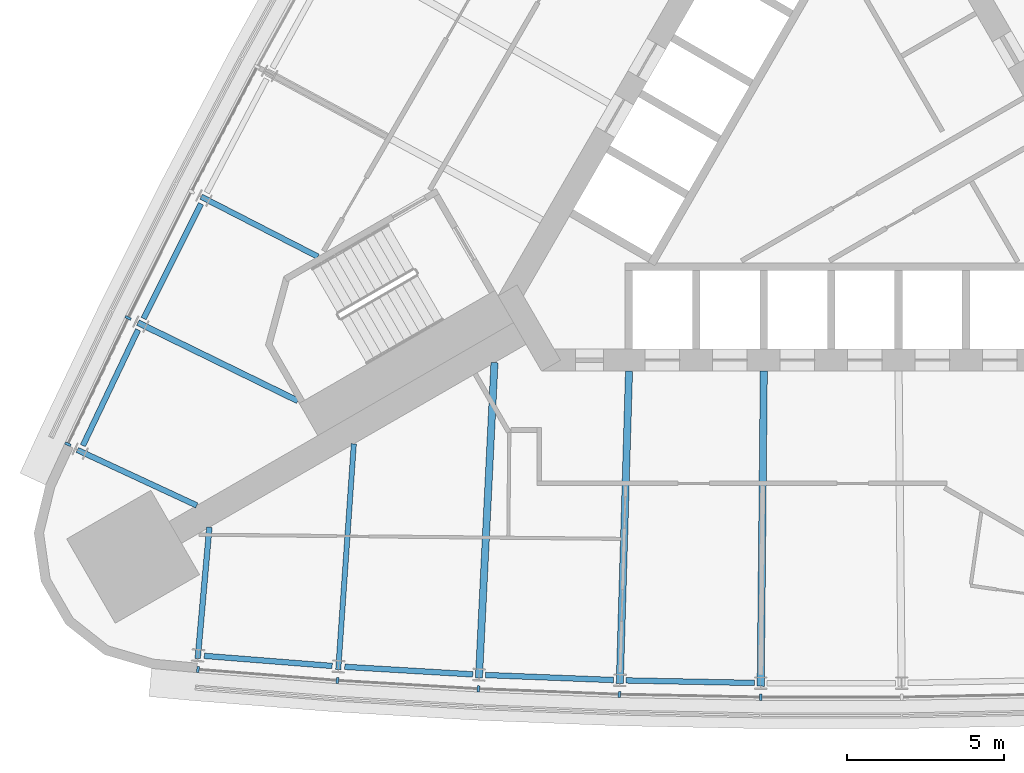
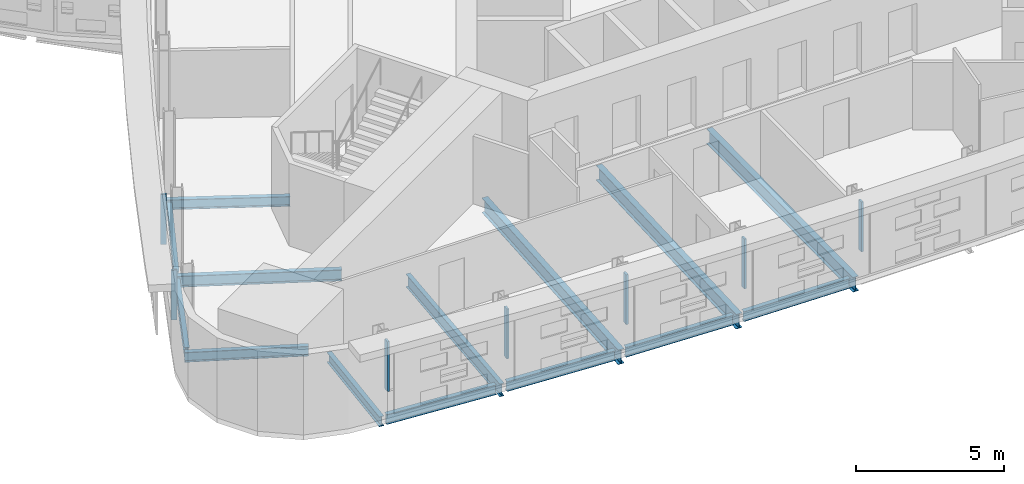
# One storey, part 4 of 17: 14 beams, 7 members, 2 elements without a shape of their own.
"""IFC4 building model written with IfcOpenShell, lengths in metres."""

from ifc_helpers import new_model, si_unit, direction, frame, origin, origin_2d, place, context, subcontext, project, spatial, rectangle, i_section, extrude, material, material_profile, profile_set, type_object, element, aggregate, save


model = new_model("IFC4")

# Units and contexts
model_context = context("Model", 3, precision=1e-05, world=origin(), true_north=direction((0.0, 1.0)))
body_context = subcontext(model_context, "Body", "Model", "MODEL_VIEW")
ifc_project = project(units=[si_unit("LENGTHUNIT", "METRE"), si_unit("AREAUNIT", "SQUARE_METRE"), si_unit("VOLUMEUNIT", "CUBIC_METRE"), si_unit("PLANEANGLEUNIT", "RADIAN"), si_unit("MASSUNIT", "GRAM", prefix="KILO")], contexts=[model_context])

# Site, building, storey
site_placement = place(None, origin())
site = spatial("IfcSite", under=ifc_project, at=site_placement, CompositionType="ELEMENT")
building_placement = place(site_placement, origin())
building = spatial("IfcBuilding", under=site, at=building_placement, Name="Noor Cloister Tower", CompositionType="ELEMENT")
storey_placement = place(building_placement, frame((0.0, 0.0, 98.699951171875)))
storey = spatial("IfcBuildingStorey", under=building, at=storey_placement, Name="L25", CompositionType="ELEMENT", Elevation=98.699951171875)

# Curtain wall, members
ifc_material_1 = material(Name="Aluminium 6063-T6 anodised", Category="aluminium")
curtain_wall_type = type_object("IfcCurtainWallType", Name="Ribbon curtain wall, lower tower CW1", PredefinedType="NOTDEFINED", material=ifc_material_1)
curtain_wall_1_placement = place(storey_placement, origin())
curtain_wall_1 = element("IfcCurtainWall", 1, at=curtain_wall_1_placement, inside=storey, type_object=curtain_wall_type, Name="CW1 L25 NW run 2", PredefinedType="NOTDEFINED")
ifc_material_2 = material(Name="Aluminium 6063-T6 anodised", Category="aluminium")
ifc_material_profile_1 = material_profile(ifc_material_2, rectangle(XDim=0.199951171875, YDim=0.080078125, at=origin_2d()), Name="200 x 80 mullion")
ifc_profile_set_1 = profile_set([ifc_material_profile_1], Name="Aluminium 6063-T6 anodised")
member_type = type_object("IfcMemberType", Name="Mullion CW1 80 x 200", PredefinedType="MULLION", material=ifc_profile_set_1)
member_1_placement = place(storey_placement, frame((-22.40185546875, -5.23046875, 1.10009765625), z_axis=(0.0, 0.0, 1.0), x_axis=(0.898389614214, -0.439199386466, 0.0)))
member_1 = element("IfcMember", 2, at=member_1_placement, type_object=member_type, Name="CW1 mullion 4", PredefinedType="MULLION", context=body_context, shape_type="SweptSolid", body=[
    extrude(rectangle(XDim=0.199951171875, YDim=0.080078125, at=origin_2d()), origin(), (0.0, 0.0, 1.0), 2.050048828125),
])
member_2_placement = place(storey_placement, frame((-24.32080078125, -9.25537109375, 1.10009765625), z_axis=(0.0, 0.0, 1.0), x_axis=(0.902668475712, -0.430336639105, 0.0)))
member_2 = element("IfcMember", 3, at=member_2_placement, type_object=member_type, Name="CW1 mullion 5", PredefinedType="MULLION", context=body_context, shape_type="SweptSolid", body=[
    extrude(rectangle(XDim=0.199951171875, YDim=0.080078125, at=origin_2d()), origin(), (0.0, 0.0, 1.0), 2.050048828125),
])
aggregate(curtain_wall_1, [member_1, member_2])

curtain_wall_2_placement = place(storey_placement, origin())
curtain_wall_2 = element("IfcCurtainWall", 4, at=curtain_wall_2_placement, inside=storey, type_object=curtain_wall_type, Name="CW1 L25 S run 3", PredefinedType="NOTDEFINED")
member_3_placement = place(storey_placement, frame((-20.17578125, -16.434814453125, 1.10009765625), z_axis=(0.0, 0.0, 1.0), x_axis=(0.078651776212, 0.996902150714, 0.0)))
member_3 = element("IfcMember", 5, at=member_3_placement, type_object=member_type, Name="CW1 mullion 1", PredefinedType="MULLION", context=body_context, shape_type="SweptSolid", body=[
    extrude(rectangle(XDim=0.199951171875, YDim=0.080078125, at=origin_2d()), origin(), (0.0, 0.0, 1.0), 2.050048828125),
])
member_4_placement = place(storey_placement, frame((-15.730712890625, -16.785400390625, 1.10009765625), z_axis=(0.0, 0.0, 1.0), x_axis=(0.068836981101, 0.997627921639, 0.0)))
member_4 = element("IfcMember", 6, at=member_4_placement, type_object=member_type, Name="CW1 mullion 2", PredefinedType="MULLION", context=body_context, shape_type="SweptSolid", body=[
    extrude(rectangle(XDim=0.199951171875, YDim=0.080078125, at=origin_2d()), origin(), (0.0, 0.0, 1.0), 2.050048828125),
])
member_5_placement = place(storey_placement, frame((-11.240478515625, -17.05078125, 1.10009765625), z_axis=(0.0, 0.0, 1.0), x_axis=(0.049188322705, 0.998789521826, 0.0)))
member_5 = element("IfcMember", 7, at=member_5_placement, type_object=member_type, Name="CW1 mullion 3", PredefinedType="MULLION", context=body_context, shape_type="SweptSolid", body=[
    extrude(rectangle(XDim=0.199951171875, YDim=0.080078125, at=origin_2d()), origin(), (0.0, 0.0, 1.0), 2.050048828125),
])
member_6_placement = place(storey_placement, frame((-6.74609375, -17.227783203125, 1.10009765625), z_axis=(0.0, 0.0, 1.0), x_axis=(0.029520625259, 0.999564171369, 0.0)))
member_6 = element("IfcMember", 8, at=member_6_placement, type_object=member_type, Name="CW1 mullion 4", PredefinedType="MULLION", context=body_context, shape_type="SweptSolid", body=[
    extrude(rectangle(XDim=0.199951171875, YDim=0.080078125, at=origin_2d()), origin(), (0.0, 0.0, 1.0), 2.050048828125),
])
member_7_placement = place(storey_placement, frame((-2.2490234375, -17.31640625, 1.10009765625), z_axis=(0.0, 0.0, 1.0), x_axis=(0.009841473527, 0.999951571527, 0.0)))
member_7 = element("IfcMember", 9, at=member_7_placement, type_object=member_type, Name="CW1 mullion 5", PredefinedType="MULLION", context=body_context, shape_type="SweptSolid", body=[
    extrude(rectangle(XDim=0.199951171875, YDim=0.080078125, at=origin_2d()), origin(), (0.0, 0.0, 1.0), 2.050048828125),
])
aggregate(curtain_wall_2, [member_3, member_4, member_5, member_6, member_7])

# Beams
ifc_material_3 = material(Name="Steel ASTM A992 Gr 50", Category="steel")
ifc_material_profile_2 = material_profile(ifc_material_3, i_section(OverallWidth=0.177978515625, OverallDepth=0.406005859375, WebThickness=0.0078125, FlangeThickness=0.0126953125, FilletRadius=0.01025390625, at=origin_2d()), Name="W410x60")
ifc_profile_set_2 = profile_set([ifc_material_profile_2], Name="Steel ASTM A992 Gr 50")
beam_type_1 = type_object("IfcBeamType", Name="Radial beam W410x60", PredefinedType="BEAM", material=ifc_profile_set_2)
beam_1_placement = place(storey_placement, frame((-20.075927734375, -1.368896484375, -0.40283203125), z_axis=(0.889580472354, -0.456778483739, 0.0), x_axis=(0.456778483739, 0.889580472354, 0.0)))
element("IfcBeam", 10, at=beam_1_placement, inside=storey, type_object=beam_type_1, Name="Radial beam NW 08 L25", PredefinedType="BEAM", context=body_context, shape_type="SweptSolid", body=[
    extrude(i_section(OverallWidth=0.177978515625, OverallDepth=0.406005859375, WebThickness=0.0078125, FlangeThickness=0.0126953125, FilletRadius=0.01025390625, at=origin_2d()), origin(), (0.0, 0.0, 1.0), 4.18505859375),
])
beam_2_placement = place(storey_placement, frame((-24.0205078125, -9.43798828125, -0.40283203125), z_axis=(0.906851874526, -0.421449495989, 0.0), x_axis=(0.421449495989, 0.906851874526, 0.0)))
element("IfcBeam", 11, at=beam_2_placement, inside=storey, type_object=beam_type_1, Name="Radial beam NW 10 L25", PredefinedType="BEAM", context=body_context, shape_type="SweptSolid", body=[
    extrude(i_section(OverallWidth=0.177978515625, OverallDepth=0.406005859375, WebThickness=0.0078125, FlangeThickness=0.0126953125, FilletRadius=0.01025390625, at=origin_2d()), origin(), (0.0, 0.0, 1.0), 4.19921875),
])
beam_3_placement = place(storey_placement, frame((-20.183837890625, -16.08349609375, -0.40283203125), z_axis=(0.088480829531, 0.99607787989, 0.0), x_axis=(-0.99607787989, 0.088480829531, 0.0)))
element("IfcBeam", 12, at=beam_3_placement, inside=storey, type_object=beam_type_1, Name="Radial beam S 01 L25", PredefinedType="BEAM", context=body_context, shape_type="SweptSolid", body=[
    extrude(i_section(OverallWidth=0.177978515625, OverallDepth=0.406005859375, WebThickness=0.0078125, FlangeThickness=0.0126953125, FilletRadius=0.01025390625, at=origin_2d()), origin(), (0.0, 0.0, 1.0), 4.199462890625),
])
ifc_material_4 = material(Name="Steel ASTM A992 Gr 50", Category="steel")
ifc_material_profile_3 = material_profile(ifc_material_4, i_section(OverallWidth=0.19091796875, OverallDepth=0.45703125, WebThickness=0.009033203125, FlangeThickness=0.014404296875, FilletRadius=0.01025390625, at=origin_2d()), Name="W460x74")
ifc_profile_set_3 = profile_set([ifc_material_profile_3], Name="Steel ASTM A992 Gr 50")
beam_type_2 = type_object("IfcBeamType", Name="Radial beam W460x74", PredefinedType="BEAM", material=ifc_profile_set_3)
beam_4_placement = place(storey_placement, frame((-22.087890625, -5.384033203125, -0.428466796875), z_axis=(0.898398339132, -0.439181539052, 0.0), x_axis=(0.439181539052, 0.898398339132, 0.0)))
element("IfcBeam", 13, at=beam_4_placement, inside=storey, type_object=beam_type_2, Name="Radial beam NW 09 L25", PredefinedType="BEAM", context=body_context, shape_type="SweptSolid", body=[
    extrude(i_section(OverallWidth=0.19091796875, OverallDepth=0.45703125, WebThickness=0.009033203125, FlangeThickness=0.014404296875, FilletRadius=0.01025390625, at=origin_2d()), origin(), (0.0, 0.0, 1.0), 5.666259765625),
])
ifc_material_5 = material(Name="Steel ASTM A992 Gr 50", Category="steel")
ifc_material_profile_4 = material_profile(ifc_material_5, i_section(OverallWidth=0.166015625, OverallDepth=0.528076171875, WebThickness=0.009765625, FlangeThickness=0.013671875, FilletRadius=0.0126953125, at=origin_2d()), Name="W530x74")
ifc_profile_set_4 = profile_set([ifc_material_profile_4], Name="Steel ASTM A992 Gr 50")
beam_type_3 = type_object("IfcBeamType", Name="Radial beam W530x74", PredefinedType="BEAM", material=ifc_profile_set_4)
beam_5_placement = place(storey_placement, frame((-15.70654296875, -16.436767578125, -0.4638671875), z_axis=(0.06883811579, 0.997627843344, 0.0), x_axis=(-0.997627843344, 0.06883811579, 0.0)))
element("IfcBeam", 14, at=beam_5_placement, inside=storey, type_object=beam_type_3, Name="Radial beam S 02 L25", PredefinedType="BEAM", context=body_context, shape_type="SweptSolid", body=[
    extrude(i_section(OverallWidth=0.166015625, OverallDepth=0.528076171875, WebThickness=0.009765625, FlangeThickness=0.013671875, FilletRadius=0.0126953125, at=origin_2d()), origin(), (0.0, 0.0, 1.0), 7.210205078125),
])
ifc_material_6 = material(Name="Steel ASTM A992 Gr 50", Category="steel")
ifc_material_profile_5 = material_profile(ifc_material_6, i_section(OverallWidth=0.22802734375, OverallDepth=0.60205078125, WebThickness=0.010498046875, FlangeThickness=0.014892578125, FilletRadius=0.0126953125, at=origin_2d()), Name="W610x101")
ifc_profile_set_5 = profile_set([ifc_material_profile_5], Name="Steel ASTM A992 Gr 50")
beam_type_4 = type_object("IfcBeamType", Name="Radial beam W610x101", PredefinedType="BEAM", material=ifc_profile_set_5)
beam_6_placement = place(storey_placement, frame((-11.223388671875, -16.701904296875, -0.5009765625), z_axis=(0.049201541775, 0.998788870726, 0.0), x_axis=(-0.998788870726, 0.049201541775, 0.0)))
element("IfcBeam", 15, at=beam_6_placement, inside=storey, type_object=beam_type_4, Name="Radial beam S 03 L25", PredefinedType="BEAM", context=body_context, shape_type="SweptSolid", body=[
    extrude(i_section(OverallWidth=0.22802734375, OverallDepth=0.60205078125, WebThickness=0.010498046875, FlangeThickness=0.014892578125, FilletRadius=0.0126953125, at=origin_2d()), origin(), (0.0, 0.0, 1.0), 10.05810546875),
])
beam_7_placement = place(storey_placement, frame((-6.73583984375, -16.878662109375, -0.5009765625), z_axis=(0.029528056482, 0.999563951871, 0.0), x_axis=(-0.999563951871, 0.029528056482, 0.0)))
element("IfcBeam", 16, at=beam_7_placement, inside=storey, type_object=beam_type_4, Name="Radial beam S 04 L25", PredefinedType="BEAM", context=body_context, shape_type="SweptSolid", body=[
    extrude(i_section(OverallWidth=0.22802734375, OverallDepth=0.60205078125, WebThickness=0.010498046875, FlangeThickness=0.014892578125, FilletRadius=0.0126953125, at=origin_2d()), origin(), (0.0, 0.0, 1.0), 9.954833984375),
])
beam_8_placement = place(storey_placement, frame((-2.24560546875, -16.967041015625, -0.5009765625), z_axis=(0.009848983597, 0.999951497585, 0.0), x_axis=(-0.999951497585, 0.009848983597, 0.0)))
element("IfcBeam", 17, at=beam_8_placement, inside=storey, type_object=beam_type_4, Name="Radial beam S 05 L25", PredefinedType="BEAM", context=body_context, shape_type="SweptSolid", body=[
    extrude(i_section(OverallWidth=0.22802734375, OverallDepth=0.60205078125, WebThickness=0.010498046875, FlangeThickness=0.014892578125, FilletRadius=0.0126953125, at=origin_2d()), origin(), (0.0, 0.0, 1.0), 10.039306640625),
])
ifc_material_7 = material(Name="Steel ASTM A992 Gr 50", Category="steel")
ifc_material_profile_6 = material_profile(ifc_material_7, i_section(OverallWidth=0.177978515625, OverallDepth=0.406005859375, WebThickness=0.0078125, FlangeThickness=0.0126953125, FilletRadius=0.01025390625, at=origin_2d()), Name="W410x60")
ifc_profile_set_6 = profile_set([ifc_material_profile_6], Name="Steel ASTM A992 Gr 50")
beam_type_5 = type_object("IfcBeamType", Name="Spandrel beam W410x60", PredefinedType="SPANDREL", material=ifc_profile_set_6)
for number, where, z_axis, x_axis, name in (
    (18, (-20.076171875, -1.593994140625, -0.40283203125), (-0.448025614309, -0.894020720634, 0.0), (0.894020720634, -0.448025614309, 0.0), "Spandrel beam NW 08 L25"),
    (19, (-22.083984375, -5.609130859375, -0.40283203125), (-0.430341530423, -0.902666143817, 0.0), (0.902666143817, -0.430341530423, 0.0), "Spandrel beam NW 09 L25"),
    (20, (-19.97509765625, -15.999267578125, -0.40283203125), (0.996902216322, -0.078650944641, 0.0), (0.078650944641, 0.996902216322, 0.0), "Spandrel beam S 01 L25"),
    (21, (-15.49951171875, -16.348388671875, -0.40283203125), (0.998257859765, -0.059002079771, 0.0), (0.059002079771, 0.998257859765, 0.0), "Spandrel beam S 02 L25"),
    (22, (-11.01806640625, -16.609375, -0.40283203125), (0.999225288123, -0.039355095916, 0.0), (0.039355095916, 0.999225288123, 0.0), "Spandrel beam S 03 L25"),
):
    element("IfcBeam", number, at=place(storey_placement, frame(where, z_axis=z_axis, x_axis=x_axis)), inside=storey, type_object=beam_type_5, Name=name, PredefinedType="SPANDREL", context=body_context, shape_type="SweptSolid", body=[
        extrude(i_section(OverallWidth=0.177978515625, OverallDepth=0.406005859375, WebThickness=0.0078125, FlangeThickness=0.0126953125, FilletRadius=0.01025390625, at=origin_2d()), origin(), (0.0, 0.0, 1.0), 4.088134765625),
    ])
beam_9_placement = place(storey_placement, frame((-6.5322265625, -16.781982421875, -0.40283203125), z_axis=(0.999805773471, -0.019708255495, 0.0), x_axis=(0.019708255495, 0.999805773471, 0.0)))
element("IfcBeam", 23, at=beam_9_placement, inside=storey, type_object=beam_type_5, Name="Spandrel beam S 04 L25", PredefinedType="SPANDREL", context=body_context, shape_type="SweptSolid", body=[
    extrude(i_section(OverallWidth=0.177978515625, OverallDepth=0.406005859375, WebThickness=0.0078125, FlangeThickness=0.0126953125, FilletRadius=0.01025390625, at=origin_2d()), origin(), (0.0, 0.0, 1.0), 4.087890625),
])

save(model, "model.ifc")
